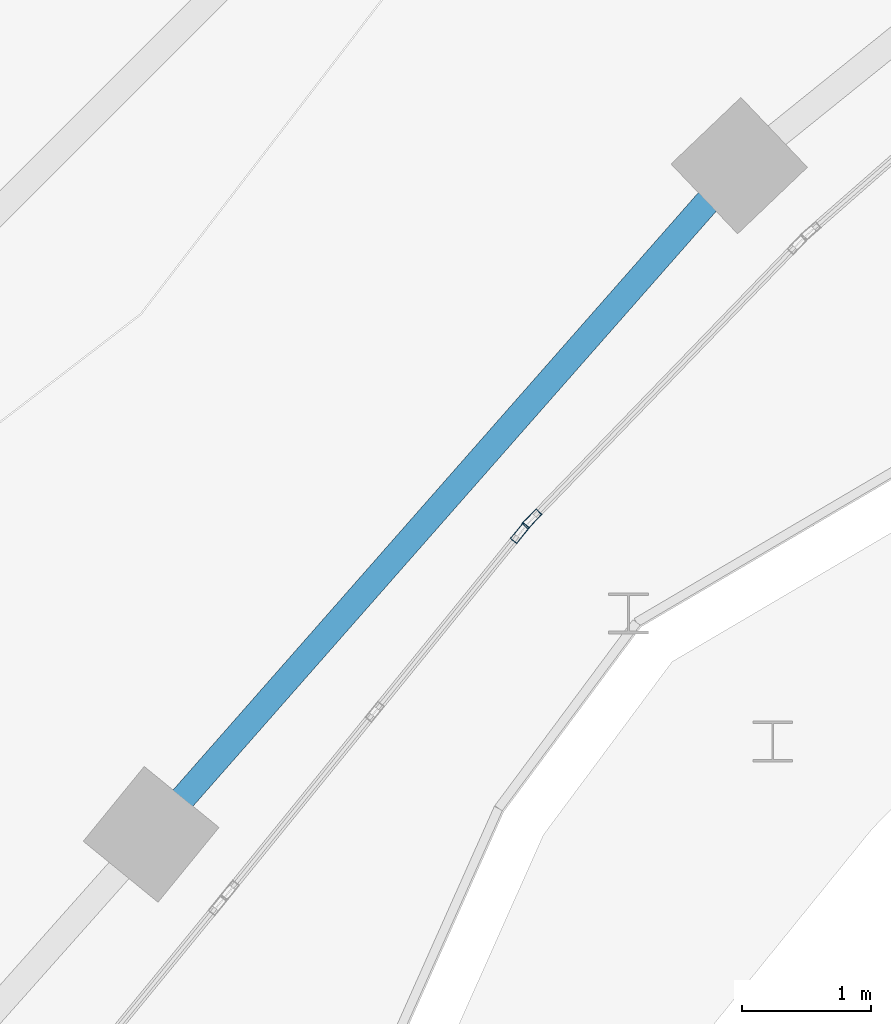
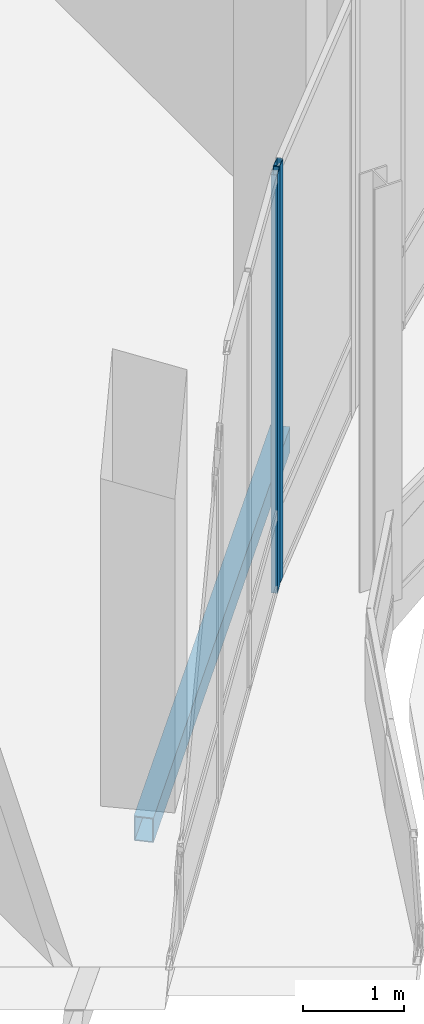
# One storey, part 51 of 158: 2 members, 1 beam, 2 elements without a shape of their own.
"""IFC4 building model written with IfcOpenShell, lengths in metres."""

from ifc_helpers import new_model, si_unit, direction, frame, origin, origin_2d, place, context, subcontext, project, spatial, hollow_rectangle, extrude, material, material_profile, profile_set, type_object, element, aggregate, save


model = new_model("IFC4")

# Units and contexts
model_context = context("Model", 3, precision=1e-05, world=origin(), true_north=direction((0.0, 1.0)))
body_context = subcontext(model_context, "Body", "Model", "MODEL_VIEW")
ifc_project = project(units=[si_unit("LENGTHUNIT", "METRE"), si_unit("AREAUNIT", "SQUARE_METRE"), si_unit("VOLUMEUNIT", "CUBIC_METRE"), si_unit("PLANEANGLEUNIT", "RADIAN"), si_unit("MASSUNIT", "GRAM", prefix="KILO")], contexts=[model_context])

# Site, building, storey
site_placement = place(None, origin())
site = spatial("IfcSite", under=ifc_project, at=site_placement, CompositionType="ELEMENT")
building_placement = place(site_placement, origin())
building = spatial("IfcBuilding", under=site, at=building_placement, Name="Selatvlak General Hospital", CompositionType="ELEMENT")
storey_placement = place(building_placement, origin())
storey = spatial("IfcBuildingStorey", under=building, at=storey_placement, Name="L00", CompositionType="ELEMENT", Elevation=0.0)

# Beam
ifc_material_1 = material(Name="Steel S355", Category="steel")
ifc_material_profile_1 = material_profile(ifc_material_1, hollow_rectangle(XDim=0.199951171875, YDim=0.300048828125, WallThickness=0.011962890625, at=origin_2d()), Name="RHS 300x200x12")
ifc_profile_set_1 = profile_set([ifc_material_profile_1], Name="Steel S355")
beam_type = type_object("IfcBeamType", Name="BM-SP3", PredefinedType="SPANDREL", material=ifc_profile_set_1)
beam_placement = place(storey_placement, frame((109.04296875, 38.992919921875, -0.5), z_axis=(0.660377453115, 0.750933831584, 0.0), x_axis=(-0.750933831584, 0.660377453115, 0.0)))
element("IfcBeam", 1, at=beam_placement, inside=storey, type_object=beam_type, Name="Beam BMR-L00-0377", PredefinedType="SPANDREL", context=body_context, shape_type="SweptSolid", body=[
    extrude(hollow_rectangle(XDim=0.199951171875, YDim=0.300048828125, WallThickness=0.011962890625, at=origin_2d()), origin(), (0.0, 0.0, 1.0), 6.92333984375),
])

# Curtain wall, member
ifc_material_2 = material(Name="Solar-control Low-E double glazing", Category="glass")
curtain_wall_type_1 = type_object("IfcCurtainWallType", Name="CW-CW-01", PredefinedType="USERDEFINED", material=ifc_material_2)
curtain_wall_1_placement = place(storey_placement, origin())
curtain_wall_1 = element("IfcCurtainWall", 2, at=curtain_wall_1_placement, inside=storey, type_object=curtain_wall_type_1, Name="Glazed facade curtain wall CW-L00-0041", ObjectType="UNITISED CURTAIN WALL", PredefinedType="USERDEFINED")
ifc_material_3 = material(Name="Dark anodised aluminium mullion", Category="aluminium")
ifc_material_profile_2 = material_profile(ifc_material_3, hollow_rectangle(XDim=0.06494140625, YDim=0.159912109375, WallThickness=0.00390625, at=origin_2d()), Name="AL-MUL 65x160x4")
ifc_profile_set_2 = profile_set([ifc_material_profile_2], Name="Dark anodised aluminium mullion")
member_type = type_object("IfcMemberType", Name="CWM-01", PredefinedType="MULLION", material=ifc_profile_set_2)
member_1_placement = place(storey_placement, frame((112.003662109375, 41.4453125, 0.0), z_axis=(0.0, 0.0, 1.0), x_axis=(0.719196973261, -0.694806241805, 0.0)))
member_1 = element("IfcMember", 3, at=member_1_placement, type_object=member_type, Name="CW-01 mullion 2", PredefinedType="MULLION", context=body_context, shape_type="SweptSolid", body=[
    extrude(hollow_rectangle(XDim=0.06494140625, YDim=0.159912109375, WallThickness=0.00390625, at=origin_2d()), origin(), (0.0, 0.0, 1.0), 5.080078125),
])
aggregate(curtain_wall_1, [member_1])

curtain_wall_type_2 = type_object("IfcCurtainWallType", Name="CW-CW-02", PredefinedType="USERDEFINED", material=ifc_material_2)
curtain_wall_2_placement = place(storey_placement, origin())
curtain_wall_2 = element("IfcCurtainWall", 4, at=curtain_wall_2_placement, inside=storey, type_object=curtain_wall_type_2, Name="Glazed facade curtain wall CW-L00-0042", ObjectType="UNITISED CURTAIN WALL", PredefinedType="USERDEFINED")
member_2_placement = place(storey_placement, frame((111.909423828125, 41.334716796875, 0.0), z_axis=(0.0, 0.0, 1.0), x_axis=(0.776323804924, -0.630334315986, 0.0)))
member_2 = element("IfcMember", 5, at=member_2_placement, type_object=member_type, Name="CW-02 mullion 1", PredefinedType="MULLION", context=body_context, shape_type="SweptSolid", body=[
    extrude(hollow_rectangle(XDim=0.06494140625, YDim=0.159912109375, WallThickness=0.00390625, at=origin_2d()), origin(), (0.0, 0.0, 1.0), 5.080078125),
])
aggregate(curtain_wall_2, [member_2])

save(model, "model.ifc")
